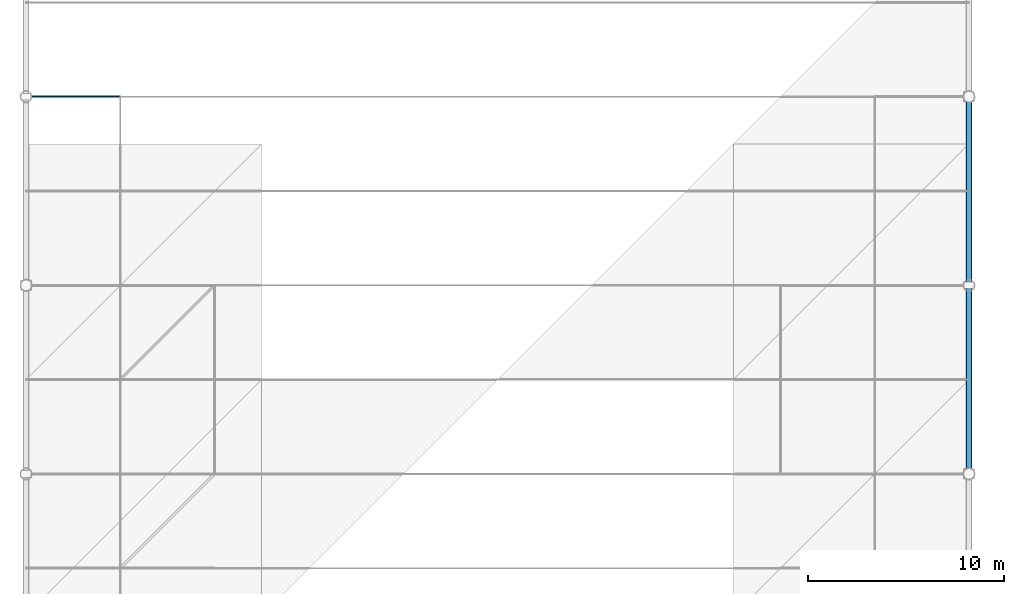
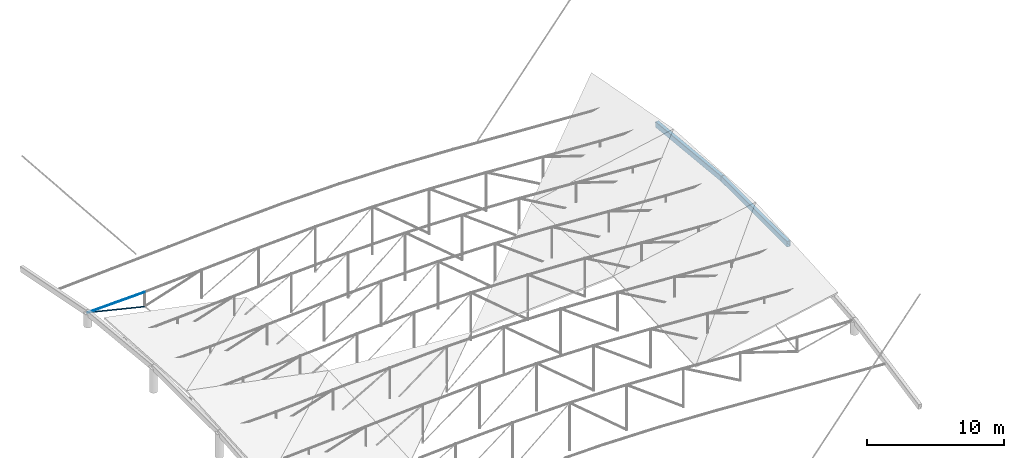
# One storey, part 29 of 50: 2 beams, 2 members.
"""IFC4 building model written with IfcOpenShell, lengths in metres."""

from ifc_helpers import new_model, si_unit, direction, frame, origin, origin_2d, place, context, subcontext, project, spatial, hollow_rectangle, circle, extrude, material, material_profile, profile_set, type_object, element, save


model = new_model("IFC4")

# Units and contexts
model_context = context("Model", 3, precision=1e-05, world=origin(), true_north=direction((0.0, 1.0)))
body_context = subcontext(model_context, "Body", "Model", "MODEL_VIEW")
ifc_project = project(units=[si_unit("LENGTHUNIT", "METRE"), si_unit("AREAUNIT", "SQUARE_METRE"), si_unit("VOLUMEUNIT", "CUBIC_METRE"), si_unit("PLANEANGLEUNIT", "RADIAN"), si_unit("MASSUNIT", "GRAM", prefix="KILO")], contexts=[model_context])

# Site, building, storey
site_placement = place(None, origin())
site = spatial("IfcSite", under=ifc_project, at=site_placement, CompositionType="ELEMENT")
building_placement = place(site_placement, origin())
building = spatial("IfcBuilding", under=site, at=building_placement, Name="Zevrakil Square Congress Hotel", CompositionType="ELEMENT")
storey_placement = place(building_placement, frame((0.0, 0.0, 21.5)))
storey = spatial("IfcBuildingStorey", under=building, at=storey_placement, Name="L06", CompositionType="ELEMENT", Elevation=21.5)

# Members
ifc_material_1 = material(Name="Steel S355", Category="steel")
ifc_material_profile_1 = material_profile(ifc_material_1, circle(Radius=0.033935546875, at=origin_2d()), Name="CABLE RD68")
ifc_profile_set_1 = profile_set([ifc_material_profile_1], Name="Steel S355")
member_type_1 = type_object("IfcMemberType", Name="MEM-CABLE-RD68", PredefinedType="USERDEFINED", material=ifc_profile_set_1)
member_1_placement = place(storey_placement, frame((117.60009765625, 103.199951171875, 1.169921875), z_axis=(0.999537721052, 0.0, 0.030403029359), x_axis=(0.0, 1.0, 0.0)))
element("IfcMember", 1, at=member_1_placement, inside=storey, type_object=member_type_1, Name="Congress lenticular upper cable chord CBU-08 seg 1", ObjectType="ROOF CABLE", PredefinedType="USERDEFINED", context=body_context, shape_type="SweptSolid", body=[
    extrude(circle(Radius=0.033935546875, at=origin_2d()), origin(), (0.0, 0.0, 1.0), 4.802001953125),
])
ifc_material_2 = material(Name="Steel S355", Category="steel")
ifc_material_profile_2 = material_profile(ifc_material_2, circle(Radius=0.0380859375, at=origin_2d()), Name="CABLE RD76")
ifc_profile_set_2 = profile_set([ifc_material_profile_2], Name="Steel S355")
member_type_2 = type_object("IfcMemberType", Name="MEM-CABLE-RD76", PredefinedType="USERDEFINED", material=ifc_profile_set_2)
member_2_placement = place(storey_placement, frame((117.60009765625, 103.199951171875, 1.169921875), z_axis=(0.9723917914, 0.0, -0.233354245769), x_axis=(0.0, 1.0, 0.0)))
element("IfcMember", 2, at=member_2_placement, inside=storey, type_object=member_type_2, Name="Congress saddle carrying cable CBS-08 seg 1", ObjectType="ROOF CABLE", PredefinedType="USERDEFINED", context=body_context, shape_type="SweptSolid", body=[
    extrude(circle(Radius=0.0380859375, at=origin_2d()), origin(), (0.0, 0.0, 1.0), 4.93603515625),
])

# Beams
ifc_material_3 = material(Name="Steel S355", Category="steel")
ifc_material_profile_3 = material_profile(ifc_material_3, hollow_rectangle(XDim=0.300048828125, YDim=0.5, WallThickness=0.02001953125, InnerFilletRadius=0.02001953125, OuterFilletRadius=0.0400390625, at=origin_2d()), Name="RHS 500x300x20")
ifc_profile_set_3 = profile_set([ifc_material_profile_3], Name="Steel S355")
beam_type = type_object("IfcBeamType", Name="RNG-RHS500", PredefinedType="USERDEFINED", material=ifc_profile_set_3)
beam_1_placement = place(storey_placement, frame((165.60009765625, 84.0, 2.1298828125), z_axis=(0.0, 1.0, 0.0), x_axis=(-1.0, 0.0, 0.0)))
element("IfcBeam", 3, at=beam_1_placement, inside=storey, type_object=beam_type, Name="Congress Hall compression ring beam RB-08", ObjectType="RING BEAM", PredefinedType="USERDEFINED", context=body_context, shape_type="SweptSolid", body=[
    extrude(hollow_rectangle(XDim=0.300048828125, YDim=0.5, WallThickness=0.02001953125, InnerFilletRadius=0.02001953125, OuterFilletRadius=0.0400390625, at=origin_2d()), origin(), (0.0, 0.0, 1.0), 9.60009765625),
])
beam_2_placement = place(storey_placement, frame((165.60009765625, 93.60009765625, 2.1298828125), z_axis=(0.0, 0.995037440756, -0.099501213526), x_axis=(-1.0, 0.0, 0.0)))
element("IfcBeam", 4, at=beam_2_placement, inside=storey, type_object=beam_type, Name="Congress Hall compression ring beam RB-09", ObjectType="RING BEAM", PredefinedType="USERDEFINED", context=body_context, shape_type="SweptSolid", body=[
    extrude(hollow_rectangle(XDim=0.300048828125, YDim=0.5, WallThickness=0.02001953125, InnerFilletRadius=0.02001953125, OuterFilletRadius=0.0400390625, at=origin_2d()), origin(), (0.0, 0.0, 1.0), 9.647705078125),
])

save(model, "model.ifc")
